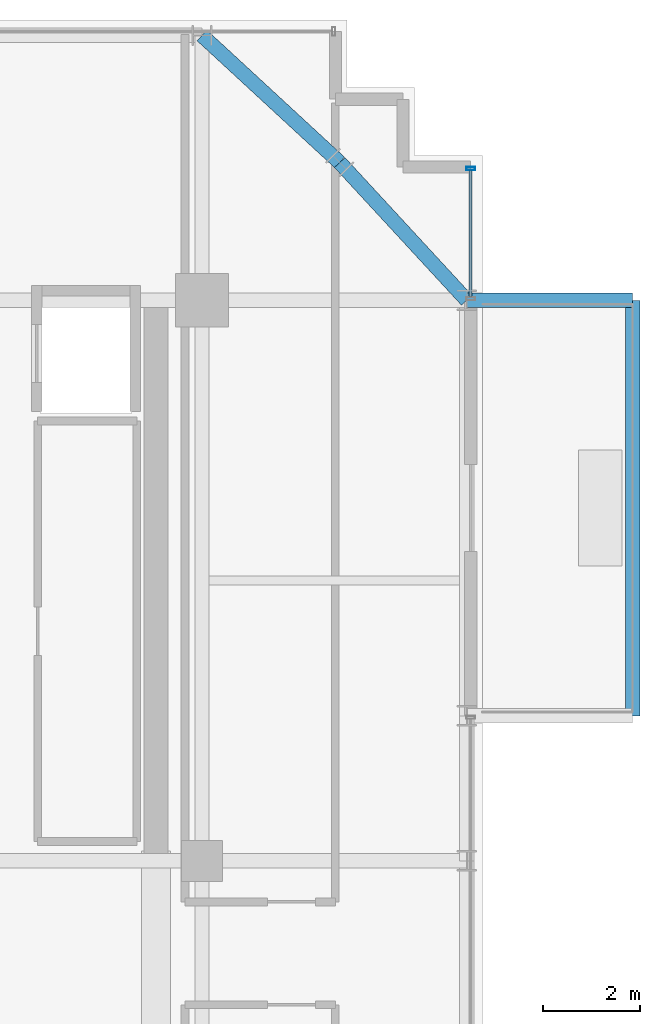
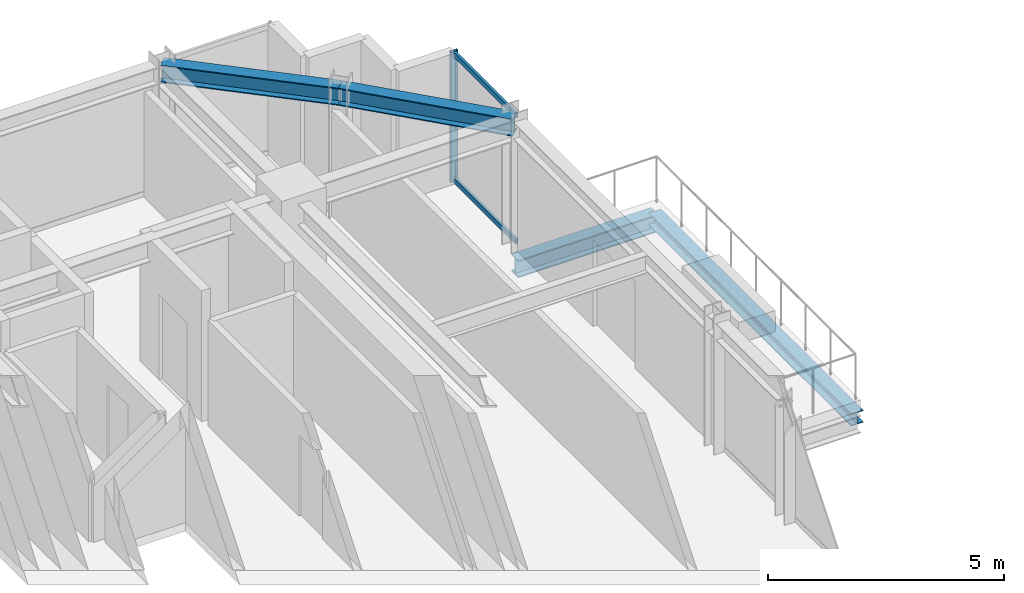
# One storey, part 22 of 31: 4 beams, 3 members, 1 element without a shape of its own.
"""IFC4 building model written with IfcOpenShell, lengths in metres."""

from ifc_helpers import new_model, si_unit, direction, frame, origin, origin_2d, place, context, subcontext, project, spatial, hollow_rectangle, i_section, extrude, source, transform, mapped, material, material_profile, profile_set, type_object, element, aggregate, save


model = new_model("IFC4")

# Units and contexts
model_context = context("Model", 3, precision=1e-05, world=origin(), true_north=direction((0.0, 1.0)))
body_context = subcontext(model_context, "Body", "Model", "MODEL_VIEW")
ifc_project = project(units=[si_unit("LENGTHUNIT", "METRE"), si_unit("AREAUNIT", "SQUARE_METRE"), si_unit("VOLUMEUNIT", "CUBIC_METRE"), si_unit("PLANEANGLEUNIT", "RADIAN"), si_unit("MASSUNIT", "GRAM", prefix="KILO")], contexts=[model_context])

# Site, building, storey
site_placement = place(None, origin())
site = spatial("IfcSite", under=ifc_project, at=site_placement, CompositionType="ELEMENT")
building_placement = place(site_placement, origin())
building = spatial("IfcBuilding", under=site, at=building_placement, Name="Nahalor Promenade Grand Hotel", CompositionType="ELEMENT")
storey_placement = place(building_placement, frame((0.0, 0.0, 192.800048828125)))
storey = spatial("IfcBuildingStorey", under=building, at=storey_placement, Name="L49", CompositionType="ELEMENT", Elevation=192.800048828125)

# Beams
ifc_material_1 = material(Name="Steel S355JR", Category="steel")
ifc_material_profile_1 = material_profile(ifc_material_1, i_section(OverallWidth=0.3, OverallDepth=0.32, WebThickness=0.0115, FlangeThickness=0.0205, at=origin_2d()), Name="HEB 320")
ifc_profile_set_1 = profile_set([ifc_material_profile_1], Name="Steel S355JR")
beam_type_1 = type_object("IfcBeamType", Name="Beam-BalcEdge-HEB320", PredefinedType="SPANDREL", material=ifc_profile_set_1)
shared_shape_1 = source(origin(), body_context, "Body", "SweptSolid", [
    extrude(i_section(OverallWidth=0.3, OverallDepth=0.32, WebThickness=0.0115, FlangeThickness=0.0205, at=origin_2d()), origin(), (0.0, 0.0, 1.0), 8.60009765625),
])
beam_1_placement = place(storey_placement, frame((25.909912109375, 8.39990234375, -0.43994140625), z_axis=(0.0, 1.0, 0.0), x_axis=(-1.0, 0.0, 0.0)))
element("IfcBeam", 1, at=beam_1_placement, inside=storey, type_object=beam_type_1, Name="BM-L49-BC-02-F", PredefinedType="SPANDREL", context=body_context, shape_type="MappedRepresentation", body=[
    mapped(shared_shape_1, transform((0.0, 0.0, 0.0), scale=1.0)),
])
ifc_material_profile_2 = material_profile(ifc_material_1, i_section(OverallWidth=0.3, OverallDepth=0.45, WebThickness=0.014, FlangeThickness=0.026, at=origin_2d()), Name="HEB 450")
ifc_profile_set_2 = profile_set([ifc_material_profile_2], Name="Steel S355JR")
beam_type_2 = type_object("IfcBeamType", Name="Beam-Outrigger-HEB450", PredefinedType="BEAM", material=ifc_profile_set_2)
shared_shape_2 = source(origin(), body_context, "Body", "SweptSolid", [
    extrude(i_section(OverallWidth=0.3, OverallDepth=0.45, WebThickness=0.014, FlangeThickness=0.026, at=origin_2d()), origin(), (0.0, 0.0, 1.0), 3.429931640625),
])
beam_2_placement = place(storey_placement, frame((22.47998046875, 17.0, -0.505126953125), z_axis=(1.0, 0.0, 0.0), x_axis=(0.0, 1.0, 0.0)))
element("IfcBeam", 2, at=beam_2_placement, inside=storey, type_object=beam_type_2, Name="BM-L49-BC-02-2", PredefinedType="BEAM", context=body_context, shape_type="MappedRepresentation", body=[
    mapped(shared_shape_2, transform((0.0, 0.0, 0.0), scale=1.0)),
])
ifc_material_profile_3 = material_profile(ifc_material_1, i_section(OverallWidth=0.3, OverallDepth=0.45, WebThickness=0.014, FlangeThickness=0.026, at=origin_2d()), Name="HEB 450")
ifc_profile_set_3 = profile_set([ifc_material_profile_3], Name="Steel S355JR")
beam_type_3 = type_object("IfcBeamType", Name="Beam-Spandrel-HEB450", PredefinedType="SPANDREL", material=ifc_profile_set_3)
shared_shape_3 = source(origin(), body_context, "Body", "SweptSolid", [
    extrude(i_section(OverallWidth=0.3, OverallDepth=0.45, WebThickness=0.014, FlangeThickness=0.026, at=origin_2d()), origin(), (0.0, 0.0, 1.0), 3.878173828125),
])
for number, where, z_axis, x_axis, name in (
    (3, (17.0, 22.47998046875, 3.1650390625), (0.73492893846, -0.678144125843, 0.0), (0.678144125843, 0.73492893846, 0.0), "BM-L49-SPC-NE-1"),
    (4, (19.85009765625, 19.85009765625, 3.1650390625), (0.678144125843, -0.73492893846, 0.0), (0.73492893846, 0.678144125843, 0.0), "BM-L49-SPC-NE-2"),
):
    element("IfcBeam", number, at=place(storey_placement, frame(where, z_axis=z_axis, x_axis=x_axis)), inside=storey, type_object=beam_type_3, Name=name, PredefinedType="SPANDREL", context=body_context, shape_type="MappedRepresentation", body=[
        mapped(shared_shape_3, transform((0.0, 0.0, 0.0), scale=1.0)),
    ])

# Curtain wall, members
ifc_material_2 = material(Name="Anodised Bronze Aluminium EN AW-6063 T6", Category="aluminium")
curtain_wall_type = type_object("IfcCurtainWallType", Name="CW2 Typical Hotel Flush Bronze Unitised Curtain Wall", PredefinedType="USERDEFINED", material=ifc_material_2)
curtain_wall_placement = place(storey_placement, origin())
curtain_wall = element("IfcCurtainWall", 5, at=curtain_wall_placement, inside=storey, type_object=curtain_wall_type, Name="L49 Curtain Wall CW-L49-E-3", ObjectType="UNITISED_CURTAIN_WALL", PredefinedType="USERDEFINED")
ifc_material_profile_4 = material_profile(ifc_material_2, hollow_rectangle(XDim=0.065, YDim=0.18, WallThickness=0.004, at=origin_2d()), Name="CWM 65x180x4")
ifc_profile_set_4 = profile_set([ifc_material_profile_4], Name="Anodised Bronze Aluminium EN AW-6063 T6")
member_type_1 = type_object("IfcMemberType", Name="CWM2 Typical Bronze Mullion 65x180", PredefinedType="MULLION", material=ifc_profile_set_4)
shared_shape_4 = source(origin(), body_context, "Body", "SweptSolid", [
    extrude(hollow_rectangle(XDim=0.065, YDim=0.18, WallThickness=0.004, at=origin_2d()), origin(), (0.0, 0.0, 1.0), 3.389892578125),
])
member_1_placement = place(storey_placement, frame((22.56005859375, 19.7275390625, 0.0), z_axis=(0.0, 0.0, 1.0), x_axis=(0.0, 1.0, 0.0)))
member_1 = element("IfcMember", 6, at=member_1_placement, type_object=member_type_1, Name="CW-L49-E-3 Mullion 1", PredefinedType="MULLION", context=body_context, shape_type="MappedRepresentation", body=[
    mapped(shared_shape_4, transform((0.0, 0.0, 0.0), scale=1.0)),
])
ifc_material_profile_5 = material_profile(ifc_material_2, hollow_rectangle(XDim=0.065, YDim=0.13, WallThickness=0.004, at=origin_2d()), Name="CWT 65x130x4")
ifc_profile_set_5 = profile_set([ifc_material_profile_5], Name="Anodised Bronze Aluminium EN AW-6063 T6")
member_type_2 = type_object("IfcMemberType", Name="CWT2 Typical Bronze Transom 65x130", PredefinedType="USERDEFINED", material=ifc_profile_set_5)
shared_shape_5 = source(origin(), body_context, "Body", "SweptSolid", [
    extrude(hollow_rectangle(XDim=0.065, YDim=0.13, WallThickness=0.004, at=origin_2d()), origin(), (0.0, 0.0, 1.0), 2.630126953125),
])
member_2_placement = place(storey_placement, frame((22.56005859375, 17.06494140625, 0.06494140625), z_axis=(0.0, 1.0, 0.0), x_axis=(-1.0, 0.0, 0.0)))
member_2 = element("IfcMember", 7, at=member_2_placement, type_object=member_type_2, Name="CW-L49-E-3 Transom 0-0", ObjectType="TRANSOM", PredefinedType="USERDEFINED", context=body_context, shape_type="MappedRepresentation", body=[
    mapped(shared_shape_5, transform((0.0, 0.0, 0.0), scale=1.0)),
])
member_3_placement = place(storey_placement, frame((22.56005859375, 17.06494140625, 3.324951171875), z_axis=(0.0, 1.0, 0.0), x_axis=(-1.0, 0.0, 0.0)))
member_3 = element("IfcMember", 8, at=member_3_placement, type_object=member_type_2, Name="CW-L49-E-3 Transom 0-1", ObjectType="TRANSOM", PredefinedType="USERDEFINED", context=body_context, shape_type="MappedRepresentation", body=[
    mapped(shared_shape_5, transform((0.0, 0.0, 0.0), scale=1.0)),
])
aggregate(curtain_wall, [member_1, member_2, member_3])

save(model, "model.ifc")
